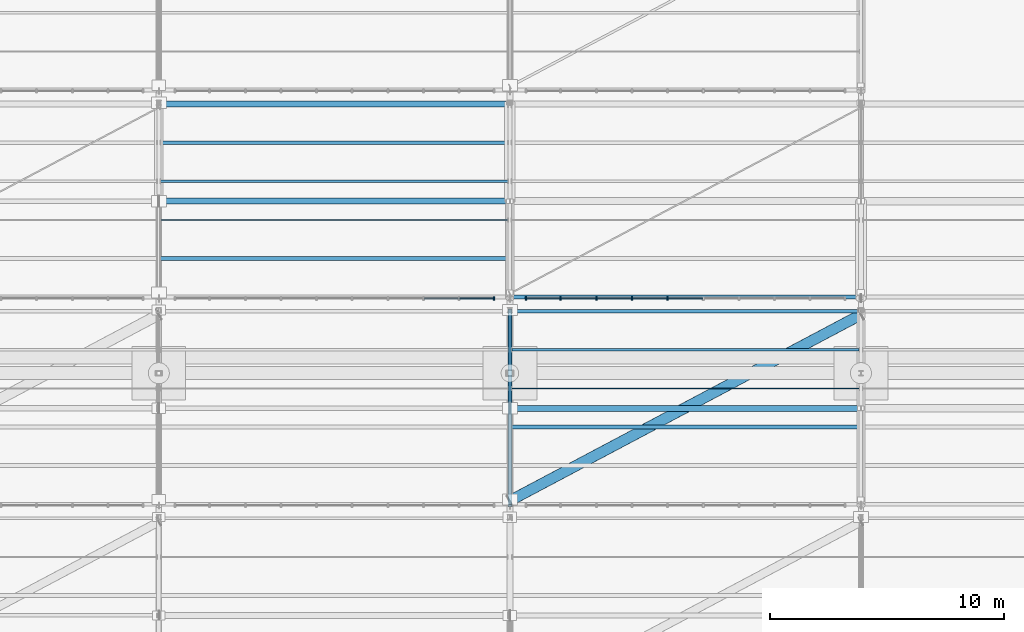
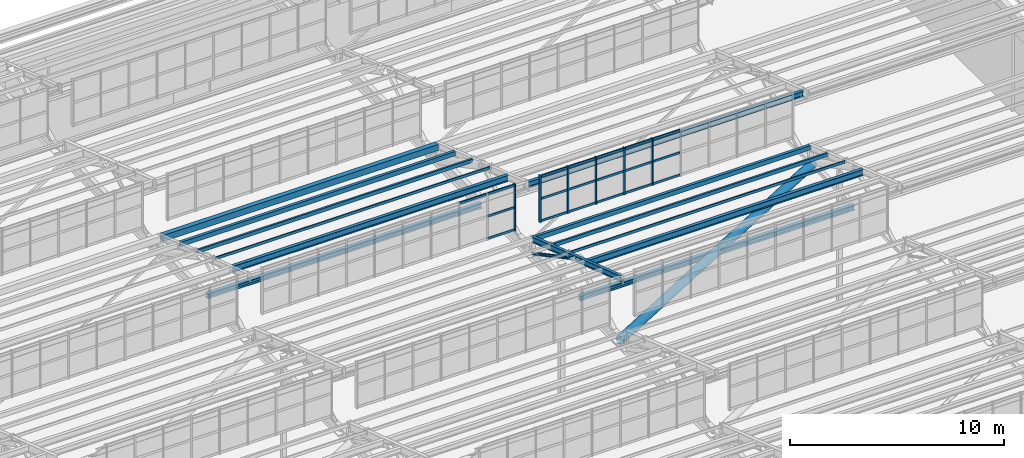
# One storey, part 108 of 285: 29 members, 11 beams, 2 elements without a shape of their own.
"""IFC4 building model written with IfcOpenShell, lengths in metres."""

from ifc_helpers import new_model, si_unit, direction, frame, origin, origin_2d, place, context, subcontext, project, spatial, rectangle, hollow_rectangle, hollow_circle, i_section, extrude, material, material_profile, profile_set, type_object, element, aggregate, save


model = new_model("IFC4")

# Units and contexts
model_context = context("Model", 3, precision=1e-05, world=origin(), true_north=direction((0.0, 1.0)))
body_context = subcontext(model_context, "Body", "Model", "MODEL_VIEW")
ifc_project = project(units=[si_unit("LENGTHUNIT", "METRE"), si_unit("AREAUNIT", "SQUARE_METRE"), si_unit("VOLUMEUNIT", "CUBIC_METRE"), si_unit("PLANEANGLEUNIT", "RADIAN"), si_unit("MASSUNIT", "GRAM", prefix="KILO")], contexts=[model_context])

# Site, building, storey
site_placement = place(None, origin())
site = spatial("IfcSite", under=ifc_project, at=site_placement, CompositionType="ELEMENT")
building_placement = place(site_placement, origin())
building = spatial("IfcBuilding", under=site, at=building_placement, Name="Solanera Park Tramway Depot", CompositionType="ELEMENT")
storey_placement = place(building_placement, origin())
storey = spatial("IfcBuildingStorey", under=building, at=storey_placement, Name="L00", CompositionType="ELEMENT", Elevation=0.0)

# Curtain wall, member
ifc_material_1 = material(Name="Bronze-anodised thermally broken aluminium curtain wall", Category="aluminium")
curtain_wall_type = type_object("IfcCurtainWallType", Name="Sawtooth Clerestory Monitor Curtain Wall", PredefinedType="NOTDEFINED", material=ifc_material_1)
curtain_wall_1_placement = place(storey_placement, origin())
curtain_wall_1 = element("IfcCurtainWall", 1, at=curtain_wall_1_placement, inside=storey, type_object=curtain_wall_type, Name="L00 Sawtooth Clerestory Monitor Curtain Wall #058", PredefinedType="NOTDEFINED")
ifc_material_2 = material(Name="Bronze-anodised structural aluminium 6063-T6", Category="aluminium")
ifc_material_profile_1 = material_profile(ifc_material_2, rectangle(XDim=0.06494140625, YDim=0.14990234375, at=origin_2d()), Name="Curtain Wall Mullion 65x150")
ifc_profile_set_1 = profile_set([ifc_material_profile_1], Name="Bronze-anodised structural aluminium 6063-T6")
member_type_1 = type_object("IfcMemberType", Name="Curtain Wall Mullion 65x150", PredefinedType="MULLION", material=ifc_profile_set_1)
member_1_placement = place(storey_placement, frame((119.3173828125, 117.699951171875, 7.75), z_axis=(0.0, 0.0, 1.0), x_axis=(1.0, 0.0, 0.0)))
member_1 = element("IfcMember", 2, at=member_1_placement, type_object=member_type_1, Name="CW-L00-058 Mullion 10", PredefinedType="MULLION", context=body_context, shape_type="SweptSolid", body=[
    extrude(rectangle(XDim=0.06494140625, YDim=0.14990234375, at=origin_2d()), origin(), (0.0, 0.0, 1.0), 2.6611328125),
])

# Curtain wall, members
curtain_wall_2_placement = place(storey_placement, origin())
curtain_wall_2 = element("IfcCurtainWall", 3, at=curtain_wall_2_placement, inside=storey, type_object=curtain_wall_type, Name="L00 Sawtooth Clerestory Monitor Curtain Wall #059", PredefinedType="NOTDEFINED")
member_2_placement = place(storey_placement, frame((120.6826171875, 117.699951171875, 7.75), z_axis=(0.0, 0.0, 1.0), x_axis=(1.0, 0.0, 0.0)))
member_2 = element("IfcMember", 4, at=member_2_placement, type_object=member_type_1, Name="CW-L00-059 Mullion 1", PredefinedType="MULLION", context=body_context, shape_type="SweptSolid", body=[
    extrude(rectangle(XDim=0.06494140625, YDim=0.14990234375, at=origin_2d()), origin(), (0.0, 0.0, 1.0), 2.6611328125),
])
member_3_placement = place(storey_placement, frame((122.172119140625, 117.699951171875, 7.75), z_axis=(0.0, 0.0, 1.0), x_axis=(1.0, 0.0, 0.0)))
member_3 = element("IfcMember", 5, at=member_3_placement, type_object=member_type_1, Name="CW-L00-059 Mullion 2", PredefinedType="MULLION", context=body_context, shape_type="SweptSolid", body=[
    extrude(rectangle(XDim=0.06494140625, YDim=0.14990234375, at=origin_2d()), origin(), (0.0, 0.0, 1.0), 2.6611328125),
])
member_4_placement = place(storey_placement, frame((123.6943359375, 117.699951171875, 7.75), z_axis=(0.0, 0.0, 1.0), x_axis=(1.0, 0.0, 0.0)))
member_4 = element("IfcMember", 6, at=member_4_placement, type_object=member_type_1, Name="CW-L00-059 Mullion 3", PredefinedType="MULLION", context=body_context, shape_type="SweptSolid", body=[
    extrude(rectangle(XDim=0.06494140625, YDim=0.14990234375, at=origin_2d()), origin(), (0.0, 0.0, 1.0), 2.6611328125),
])
member_5_placement = place(storey_placement, frame((125.216796875, 117.699951171875, 7.75), z_axis=(0.0, 0.0, 1.0), x_axis=(1.0, 0.0, 0.0)))
member_5 = element("IfcMember", 7, at=member_5_placement, type_object=member_type_1, Name="CW-L00-059 Mullion 4", PredefinedType="MULLION", context=body_context, shape_type="SweptSolid", body=[
    extrude(rectangle(XDim=0.06494140625, YDim=0.14990234375, at=origin_2d()), origin(), (0.0, 0.0, 1.0), 2.6611328125),
])
member_6_placement = place(storey_placement, frame((126.739013671875, 117.699951171875, 7.75), z_axis=(0.0, 0.0, 1.0), x_axis=(1.0, 0.0, 0.0)))
member_6 = element("IfcMember", 8, at=member_6_placement, type_object=member_type_1, Name="CW-L00-059 Mullion 5", PredefinedType="MULLION", context=body_context, shape_type="SweptSolid", body=[
    extrude(rectangle(XDim=0.06494140625, YDim=0.14990234375, at=origin_2d()), origin(), (0.0, 0.0, 1.0), 2.6611328125),
])

# Member
ifc_material_3 = material(Name="Bronze-anodised structural aluminium 6063-T6", Category="aluminium")
ifc_material_profile_2 = material_profile(ifc_material_3, rectangle(XDim=0.06494140625, YDim=0.1201171875, at=origin_2d()), Name="Curtain Wall Transom 65x120")
ifc_profile_set_2 = profile_set([ifc_material_profile_2], Name="Bronze-anodised structural aluminium 6063-T6")
member_type_2 = type_object("IfcMemberType", Name="Curtain Wall Transom 65x120", PredefinedType="USERDEFINED", material=ifc_profile_set_2)
member_7_placement = place(storey_placement, frame((117.855712890625, 117.699951171875, 7.81005859375), z_axis=(1.0, 0.0, 0.0), x_axis=(0.0, 1.0, 0.0)))
member_7 = element("IfcMember", 9, at=member_7_placement, type_object=member_type_2, Name="CW-L00-058 Transom R1.C9", ObjectType="TRANSOM", PredefinedType="USERDEFINED", context=body_context, shape_type="SweptSolid", body=[
    extrude(rectangle(XDim=0.06494140625, YDim=0.1201171875, at=origin_2d()), origin(), (0.0, 0.0, 1.0), 1.433837890625),
])

member_8_placement = place(storey_placement, frame((117.855712890625, 117.699951171875, 9.08056640625), z_axis=(1.0, 0.0, 0.0), x_axis=(0.0, 1.0, 0.0)))
member_8 = element("IfcMember", 10, at=member_8_placement, type_object=member_type_2, Name="CW-L00-058 Transom R2.C9", ObjectType="TRANSOM", PredefinedType="USERDEFINED", context=body_context, shape_type="SweptSolid", body=[
    extrude(rectangle(XDim=0.06494140625, YDim=0.1201171875, at=origin_2d()), origin(), (0.0, 0.0, 1.0), 1.433837890625),
])

member_9_placement = place(storey_placement, frame((116.33349609375, 117.699951171875, 10.351318359375), z_axis=(1.0, 0.0, 0.0), x_axis=(0.0, 1.0, 0.0)))
member_9 = element("IfcMember", 11, at=member_9_placement, type_object=member_type_2, Name="CW-L00-058 Transom R3.C8", ObjectType="TRANSOM", PredefinedType="USERDEFINED", context=body_context, shape_type="SweptSolid", body=[
    extrude(rectangle(XDim=0.06494140625, YDim=0.1201171875, at=origin_2d()), origin(), (0.0, 0.0, 1.0), 1.46630859375),
])

member_10_placement = place(storey_placement, frame((117.855712890625, 117.699951171875, 10.351318359375), z_axis=(1.0, 0.0, 0.0), x_axis=(0.0, 1.0, 0.0)))
member_10 = element("IfcMember", 12, at=member_10_placement, type_object=member_type_2, Name="CW-L00-058 Transom R3.C9", ObjectType="TRANSOM", PredefinedType="USERDEFINED", context=body_context, shape_type="SweptSolid", body=[
    extrude(rectangle(XDim=0.06494140625, YDim=0.1201171875, at=origin_2d()), origin(), (0.0, 0.0, 1.0), 1.433837890625),
])

aggregate(curtain_wall_1, [member_1, member_7, member_8, member_9, member_10])

member_11_placement = place(storey_placement, frame((120.71044921875, 117.699951171875, 7.81005859375), z_axis=(1.0, 0.0, 0.0), x_axis=(0.0, 1.0, 0.0)))
member_11 = element("IfcMember", 13, at=member_11_placement, type_object=member_type_2, Name="CW-L00-059 Transom R1.C1", ObjectType="TRANSOM", PredefinedType="USERDEFINED", context=body_context, shape_type="SweptSolid", body=[
    extrude(rectangle(XDim=0.06494140625, YDim=0.1201171875, at=origin_2d()), origin(), (0.0, 0.0, 1.0), 1.433837890625),
])

member_12_placement = place(storey_placement, frame((122.2001953125, 117.699951171875, 7.81005859375), z_axis=(1.0, 0.0, 0.0), x_axis=(0.0, 1.0, 0.0)))
member_12 = element("IfcMember", 14, at=member_12_placement, type_object=member_type_2, Name="CW-L00-059 Transom R1.C2", ObjectType="TRANSOM", PredefinedType="USERDEFINED", context=body_context, shape_type="SweptSolid", body=[
    extrude(rectangle(XDim=0.06494140625, YDim=0.1201171875, at=origin_2d()), origin(), (0.0, 0.0, 1.0), 1.46630859375),
])

member_13_placement = place(storey_placement, frame((123.722412109375, 117.699951171875, 7.81005859375), z_axis=(1.0, 0.0, 0.0), x_axis=(0.0, 1.0, 0.0)))
member_13 = element("IfcMember", 15, at=member_13_placement, type_object=member_type_2, Name="CW-L00-059 Transom R1.C3", ObjectType="TRANSOM", PredefinedType="USERDEFINED", context=body_context, shape_type="SweptSolid", body=[
    extrude(rectangle(XDim=0.06494140625, YDim=0.1201171875, at=origin_2d()), origin(), (0.0, 0.0, 1.0), 1.46630859375),
])

member_14_placement = place(storey_placement, frame((125.24462890625, 117.699951171875, 7.81005859375), z_axis=(1.0, 0.0, 0.0), x_axis=(0.0, 1.0, 0.0)))
member_14 = element("IfcMember", 16, at=member_14_placement, type_object=member_type_2, Name="CW-L00-059 Transom R1.C4", ObjectType="TRANSOM", PredefinedType="USERDEFINED", context=body_context, shape_type="SweptSolid", body=[
    extrude(rectangle(XDim=0.06494140625, YDim=0.1201171875, at=origin_2d()), origin(), (0.0, 0.0, 1.0), 1.46630859375),
])

member_15_placement = place(storey_placement, frame((126.766845703125, 117.699951171875, 7.81005859375), z_axis=(1.0, 0.0, 0.0), x_axis=(0.0, 1.0, 0.0)))
member_15 = element("IfcMember", 17, at=member_15_placement, type_object=member_type_2, Name="CW-L00-059 Transom R1.C5", ObjectType="TRANSOM", PredefinedType="USERDEFINED", context=body_context, shape_type="SweptSolid", body=[
    extrude(rectangle(XDim=0.06494140625, YDim=0.1201171875, at=origin_2d()), origin(), (0.0, 0.0, 1.0), 1.46630859375),
])

member_16_placement = place(storey_placement, frame((120.71044921875, 117.699951171875, 9.08056640625), z_axis=(1.0, 0.0, 0.0), x_axis=(0.0, 1.0, 0.0)))
member_16 = element("IfcMember", 18, at=member_16_placement, type_object=member_type_2, Name="CW-L00-059 Transom R2.C1", ObjectType="TRANSOM", PredefinedType="USERDEFINED", context=body_context, shape_type="SweptSolid", body=[
    extrude(rectangle(XDim=0.06494140625, YDim=0.1201171875, at=origin_2d()), origin(), (0.0, 0.0, 1.0), 1.433837890625),
])

member_17_placement = place(storey_placement, frame((122.2001953125, 117.699951171875, 9.08056640625), z_axis=(1.0, 0.0, 0.0), x_axis=(0.0, 1.0, 0.0)))
member_17 = element("IfcMember", 19, at=member_17_placement, type_object=member_type_2, Name="CW-L00-059 Transom R2.C2", ObjectType="TRANSOM", PredefinedType="USERDEFINED", context=body_context, shape_type="SweptSolid", body=[
    extrude(rectangle(XDim=0.06494140625, YDim=0.1201171875, at=origin_2d()), origin(), (0.0, 0.0, 1.0), 1.46630859375),
])

member_18_placement = place(storey_placement, frame((123.722412109375, 117.699951171875, 9.08056640625), z_axis=(1.0, 0.0, 0.0), x_axis=(0.0, 1.0, 0.0)))
member_18 = element("IfcMember", 20, at=member_18_placement, type_object=member_type_2, Name="CW-L00-059 Transom R2.C3", ObjectType="TRANSOM", PredefinedType="USERDEFINED", context=body_context, shape_type="SweptSolid", body=[
    extrude(rectangle(XDim=0.06494140625, YDim=0.1201171875, at=origin_2d()), origin(), (0.0, 0.0, 1.0), 1.46630859375),
])

member_19_placement = place(storey_placement, frame((125.24462890625, 117.699951171875, 9.08056640625), z_axis=(1.0, 0.0, 0.0), x_axis=(0.0, 1.0, 0.0)))
member_19 = element("IfcMember", 21, at=member_19_placement, type_object=member_type_2, Name="CW-L00-059 Transom R2.C4", ObjectType="TRANSOM", PredefinedType="USERDEFINED", context=body_context, shape_type="SweptSolid", body=[
    extrude(rectangle(XDim=0.06494140625, YDim=0.1201171875, at=origin_2d()), origin(), (0.0, 0.0, 1.0), 1.46630859375),
])

member_20_placement = place(storey_placement, frame((126.766845703125, 117.699951171875, 9.08056640625), z_axis=(1.0, 0.0, 0.0), x_axis=(0.0, 1.0, 0.0)))
member_20 = element("IfcMember", 22, at=member_20_placement, type_object=member_type_2, Name="CW-L00-059 Transom R2.C5", ObjectType="TRANSOM", PredefinedType="USERDEFINED", context=body_context, shape_type="SweptSolid", body=[
    extrude(rectangle(XDim=0.06494140625, YDim=0.1201171875, at=origin_2d()), origin(), (0.0, 0.0, 1.0), 1.46630859375),
])

member_21_placement = place(storey_placement, frame((120.71044921875, 117.699951171875, 10.351318359375), z_axis=(1.0, 0.0, 0.0), x_axis=(0.0, 1.0, 0.0)))
member_21 = element("IfcMember", 23, at=member_21_placement, type_object=member_type_2, Name="CW-L00-059 Transom R3.C1", ObjectType="TRANSOM", PredefinedType="USERDEFINED", context=body_context, shape_type="SweptSolid", body=[
    extrude(rectangle(XDim=0.06494140625, YDim=0.1201171875, at=origin_2d()), origin(), (0.0, 0.0, 1.0), 1.433837890625),
])

member_22_placement = place(storey_placement, frame((122.2001953125, 117.699951171875, 10.351318359375), z_axis=(1.0, 0.0, 0.0), x_axis=(0.0, 1.0, 0.0)))
member_22 = element("IfcMember", 24, at=member_22_placement, type_object=member_type_2, Name="CW-L00-059 Transom R3.C2", ObjectType="TRANSOM", PredefinedType="USERDEFINED", context=body_context, shape_type="SweptSolid", body=[
    extrude(rectangle(XDim=0.06494140625, YDim=0.1201171875, at=origin_2d()), origin(), (0.0, 0.0, 1.0), 1.46630859375),
])

member_23_placement = place(storey_placement, frame((123.722412109375, 117.699951171875, 10.351318359375), z_axis=(1.0, 0.0, 0.0), x_axis=(0.0, 1.0, 0.0)))
member_23 = element("IfcMember", 25, at=member_23_placement, type_object=member_type_2, Name="CW-L00-059 Transom R3.C3", ObjectType="TRANSOM", PredefinedType="USERDEFINED", context=body_context, shape_type="SweptSolid", body=[
    extrude(rectangle(XDim=0.06494140625, YDim=0.1201171875, at=origin_2d()), origin(), (0.0, 0.0, 1.0), 1.46630859375),
])

member_24_placement = place(storey_placement, frame((125.24462890625, 117.699951171875, 10.351318359375), z_axis=(1.0, 0.0, 0.0), x_axis=(0.0, 1.0, 0.0)))
member_24 = element("IfcMember", 26, at=member_24_placement, type_object=member_type_2, Name="CW-L00-059 Transom R3.C4", ObjectType="TRANSOM", PredefinedType="USERDEFINED", context=body_context, shape_type="SweptSolid", body=[
    extrude(rectangle(XDim=0.06494140625, YDim=0.1201171875, at=origin_2d()), origin(), (0.0, 0.0, 1.0), 1.46630859375),
])

member_25_placement = place(storey_placement, frame((126.766845703125, 117.699951171875, 10.351318359375), z_axis=(1.0, 0.0, 0.0), x_axis=(0.0, 1.0, 0.0)))
member_25 = element("IfcMember", 27, at=member_25_placement, type_object=member_type_2, Name="CW-L00-059 Transom R3.C5", ObjectType="TRANSOM", PredefinedType="USERDEFINED", context=body_context, shape_type="SweptSolid", body=[
    extrude(rectangle(XDim=0.06494140625, YDim=0.1201171875, at=origin_2d()), origin(), (0.0, 0.0, 1.0), 1.46630859375),
])

aggregate(curtain_wall_2, [member_2, member_3, member_4, member_5, member_6, member_11, member_12, member_13, member_14, member_15, member_16, member_17, member_18, member_19, member_20, member_21, member_22, member_23, member_24, member_25])

# Members
ifc_material_4 = material(Name="Steel AS/NZS 3679.1 Grade 350", Category="steel")
ifc_material_profile_3 = material_profile(ifc_material_4, i_section(OverallWidth=0.25390625, OverallDepth=0.25390625, WebThickness=0.008544921875, FlangeThickness=0.01416015625, at=origin_2d()), Name="250UC72.9")
ifc_profile_set_3 = profile_set([ifc_material_profile_3], Name="Steel AS/NZS 3679.1 Grade 350")
member_type_3 = type_object("IfcMemberType", Name="Secondary Truss Chord 250UC72.9", PredefinedType="CHORD", material=ifc_profile_set_3)
for number, where, z_axis, x_axis, name in (
    (28, (120.087890625, 113.0, 6.5), (1.0, 0.0, 0.0), (0.0, 1.0, 0.0), "Sawtooth Longitudinal Tie Chord 250UC72.9 #0317"),
    (29, (105.087890625, 121.85009765625, 6.5), (1.0, 0.0, 0.0), (0.0, 1.0, 0.0), "Sawtooth Longitudinal Tie Chord 250UC72.9 #0363"),
):
    element("IfcMember", number, at=place(storey_placement, frame(where, z_axis=z_axis, x_axis=x_axis)), inside=storey, type_object=member_type_3, Name=name, PredefinedType="CHORD", context=body_context, shape_type="SweptSolid", body=[
        extrude(i_section(OverallWidth=0.25390625, OverallDepth=0.25390625, WebThickness=0.008544921875, FlangeThickness=0.01416015625, at=origin_2d()), origin(), (0.0, 0.0, 1.0), 14.82421875),
    ])

# Beams
ifc_material_5 = material(Name="Steel AS/NZS 3679.1 Grade 350", Category="steel")
ifc_material_profile_4 = material_profile(ifc_material_5, i_section(OverallWidth=0.166015625, OverallDepth=0.30712890625, WebThickness=0.006591796875, FlangeThickness=0.01171875, at=origin_2d()), Name="310UB46.2")
ifc_profile_set_4 = profile_set([ifc_material_profile_4], Name="Steel AS/NZS 3679.1 Grade 350")
beam_type_1 = type_object("IfcBeamType", Name="Steel Beam 310UB46.2", PredefinedType="BEAM", material=ifc_profile_set_4)
beam_1_placement = place(storey_placement, frame((120.0, 108.85009765625, 10.131103515625), z_axis=(0.0, 0.948327781215, -0.317292324799), x_axis=(-1.0, 0.0, 0.0)))
element("IfcBeam", 30, at=beam_1_placement, inside=storey, type_object=beam_type_1, Name="Sawtooth ROOF TRUSS Top Rafter 310UB46.2 B07-T9", PredefinedType="BEAM", context=body_context, shape_type="SweptSolid", body=[
    extrude(i_section(OverallWidth=0.166015625, OverallDepth=0.30712890625, WebThickness=0.006591796875, FlangeThickness=0.01171875, at=origin_2d()), origin(), (0.0, 0.0, 1.0), 8.804931640625),
])
ifc_material_6 = material(Name="Steel AS/NZS 1163 Grade C350L0", Category="steel")
ifc_material_profile_5 = material_profile(ifc_material_6, hollow_rectangle(XDim=0.050048828125, YDim=0.14990234375, WallThickness=0.0048828125, at=origin_2d()), Name="150x50x5.0 RHS")
ifc_profile_set_5 = profile_set([ifc_material_profile_5], Name="Steel AS/NZS 1163 Grade C350L0")
beam_type_2 = type_object("IfcBeamType", Name="Steel Joist Purlin 150x50x5.0 RHS", PredefinedType="JOIST", material=ifc_profile_set_5)
for number, where, z_axis, x_axis, name in (
    (31, (120.074951171875, 113.85009765625, 8.550537109375), (1.0, 0.0, 0.0), (0.0, 1.0, 0.0), "Sawtooth Roof Purlin 150x50x5.0 RHS B07.4"),
    (32, (105.074951171875, 121.050048828125, 9.1025390625), (1.0, 0.0, 0.0), (0.0, 1.0, 0.0), "Sawtooth Roof Purlin 150x50x5.0 RHS B08.3"),
):
    element("IfcBeam", number, at=place(storey_placement, frame(where, z_axis=z_axis, x_axis=x_axis)), inside=storey, type_object=beam_type_2, Name=name, PredefinedType="JOIST", context=body_context, shape_type="SweptSolid", body=[
        extrude(hollow_rectangle(XDim=0.050048828125, YDim=0.14990234375, WallThickness=0.0048828125, at=origin_2d()), origin(), (0.0, 0.0, 1.0), 14.84716796875),
    ])
ifc_material_7 = material(Name="Steel AS/NZS 1163 Grade C350L0", Category="steel")
ifc_material_profile_6 = material_profile(ifc_material_7, hollow_rectangle(XDim=0.10009765625, YDim=0.199951171875, WallThickness=0.006103515625, at=origin_2d()), Name="200x100x6.0 RHS")
ifc_profile_set_6 = profile_set([ifc_material_profile_6], Name="Steel AS/NZS 1163 Grade C350L0")
beam_type_3 = type_object("IfcBeamType", Name="Steel Joist Purlin 200x100x6.0 RHS", PredefinedType="JOIST", material=ifc_profile_set_6)
for number, where, z_axis, x_axis, name in (
    (33, (120.074951171875, 115.5, 7.965087890625), (1.0, 0.0, 0.0), (0.0, 1.0, 0.0), "Sawtooth Roof Purlin 200x100x6.0 RHS B07.5"),
    (34, (105.074951171875, 122.699951171875, 8.51708984375), (1.0, 0.0, 0.0), (0.0, 1.0, 0.0), "Sawtooth Roof Purlin 200x100x6.0 RHS B08.4"),
):
    element("IfcBeam", number, at=place(storey_placement, frame(where, z_axis=z_axis, x_axis=x_axis)), inside=storey, type_object=beam_type_3, Name=name, PredefinedType="JOIST", context=body_context, shape_type="SweptSolid", body=[
        extrude(hollow_rectangle(XDim=0.10009765625, YDim=0.199951171875, WallThickness=0.006103515625, at=origin_2d()), origin(), (0.0, 0.0, 1.0), 14.84716796875),
    ])
ifc_material_8 = material(Name="Steel AS/NZS 1163 Grade C350L0", Category="steel")
ifc_material_profile_7 = material_profile(ifc_material_8, hollow_rectangle(XDim=0.14990234375, YDim=0.25, WallThickness=0.008056640625, at=origin_2d()), Name="250x150x8.0 RHS")
ifc_profile_set_7 = profile_set([ifc_material_profile_7], Name="Steel AS/NZS 1163 Grade C350L0")
beam_type_4 = type_object("IfcBeamType", Name="Steel Joist Purlin 250x150x8.0 RHS", PredefinedType="JOIST", material=ifc_profile_set_7)
for number, where, z_axis, x_axis, name in (
    (35, (120.074951171875, 117.14990234375, 7.379638671875), (1.0, 0.0, 0.0), (0.0, 1.0, 0.0), "Sawtooth Roof Purlin 250x150x8.0 RHS B07.6"),
    (36, (105.074951171875, 124.35009765625, 7.931640625), (1.0, 0.0, 0.0), (0.0, 1.0, 0.0), "Sawtooth Roof Purlin 250x150x8.0 RHS B08.5"),
):
    element("IfcBeam", number, at=place(storey_placement, frame(where, z_axis=z_axis, x_axis=x_axis)), inside=storey, type_object=beam_type_4, Name=name, PredefinedType="JOIST", context=body_context, shape_type="SweptSolid", body=[
        extrude(hollow_rectangle(XDim=0.14990234375, YDim=0.25, WallThickness=0.008056640625, at=origin_2d()), origin(), (0.0, 0.0, 1.0), 14.84716796875),
    ])
ifc_material_9 = material(Name="Steel AS/NZS 3679.1 Grade 350", Category="steel")
ifc_material_profile_8 = material_profile(ifc_material_9, i_section(OverallWidth=0.166015625, OverallDepth=0.30712890625, WebThickness=0.006591796875, FlangeThickness=0.01171875, at=origin_2d()), Name="310UB46.2")
ifc_profile_set_8 = profile_set([ifc_material_profile_8], Name="Steel AS/NZS 3679.1 Grade 350")
beam_type_5 = type_object("IfcBeamType", Name="Steel Joist Purlin 310UB46.2", PredefinedType="JOIST", material=ifc_profile_set_8)
beam_2_placement = place(storey_placement, frame((120.077880859375, 117.75, 10.108642578125), z_axis=(1.0, 0.0, 0.0), x_axis=(0.0, 1.0, 0.0)))
element("IfcBeam", 37, at=beam_2_placement, inside=storey, type_object=beam_type_5, Name="Sawtooth Roof Purlin 310UB46.2 B08.1", PredefinedType="JOIST", context=body_context, shape_type="SweptSolid", body=[
    extrude(i_section(OverallWidth=0.166015625, OverallDepth=0.30712890625, WebThickness=0.006591796875, FlangeThickness=0.01171875, at=origin_2d()), origin(), (0.0, 0.0, 1.0), 14.84130859375),
])
ifc_material_10 = material(Name="Steel AS/NZS 1163 Grade C350L0", Category="steel")
ifc_material_profile_9 = material_profile(ifc_material_10, hollow_rectangle(XDim=0.25, YDim=0.35009765625, WallThickness=0.010009765625, at=origin_2d()), Name="350x250x10.0 RHS")
ifc_profile_set_9 = profile_set([ifc_material_profile_9], Name="Steel AS/NZS 1163 Grade C350L0")
beam_type_6 = type_object("IfcBeamType", Name="Steel Joist Purlin 350x250x10.0 RHS", PredefinedType="JOIST", material=ifc_profile_set_9)
beam_3_placement = place(storey_placement, frame((105.074951171875, 126.0, 7.312744140625), z_axis=(1.0, 0.0, 0.0), x_axis=(0.0, 1.0, 0.0)))
element("IfcBeam", 38, at=beam_3_placement, inside=storey, type_object=beam_type_6, Name="Sawtooth Roof Purlin 350x250x10.0 RHS B08.6", PredefinedType="JOIST", context=body_context, shape_type="SweptSolid", body=[
    extrude(hollow_rectangle(XDim=0.25, YDim=0.35009765625, WallThickness=0.010009765625, at=origin_2d()), origin(), (0.0, 0.0, 1.0), 14.84716796875),
])
ifc_material_11 = material(Name="Steel AS/NZS 3679.1 Grade 350", Category="steel")
ifc_material_profile_10 = material_profile(ifc_material_11, i_section(OverallWidth=0.17138671875, OverallDepth=0.355712890625, WebThickness=0.00732421875, FlangeThickness=0.011474609375, at=origin_2d()), Name="360UB50.7")
ifc_profile_set_10 = profile_set([ifc_material_profile_10], Name="Steel AS/NZS 3679.1 Grade 350")
beam_type_7 = type_object("IfcBeamType", Name="Steel Joist Purlin 360UB50.7", PredefinedType="JOIST", material=ifc_profile_set_10)
for number, where, z_axis, x_axis, name in (
    (39, (120.074951171875, 112.199951171875, 8.9794921875), (1.0, 0.0, 0.0), (0.0, 1.0, 0.0), "Sawtooth Roof Purlin 360UB50.7 B07.3"),
    (40, (105.074951171875, 119.39990234375, 9.531494140625), (1.0, 0.0, 0.0), (0.0, 1.0, 0.0), "Sawtooth Roof Purlin 360UB50.7 B08.2"),
):
    element("IfcBeam", number, at=place(storey_placement, frame(where, z_axis=z_axis, x_axis=x_axis)), inside=storey, type_object=beam_type_7, Name=name, PredefinedType="JOIST", context=body_context, shape_type="SweptSolid", body=[
        extrude(i_section(OverallWidth=0.17138671875, OverallDepth=0.355712890625, WebThickness=0.00732421875, FlangeThickness=0.011474609375, at=origin_2d()), origin(), (0.0, 0.0, 1.0), 14.84716796875),
    ])

# Members
ifc_material_12 = material(Name="Steel AS/NZS 1163 Grade C350L0", Category="steel")
ifc_material_profile_11 = material_profile(ifc_material_12, hollow_circle(Radius=0.084228515625, WallThickness=0.00634765625, at=origin_2d()), Name="168.3x6.4 CHS")
ifc_profile_set_11 = profile_set([ifc_material_profile_11], Name="Steel AS/NZS 1163 Grade C350L0")
member_type_4 = type_object("IfcMemberType", Name="Truss and Frame Brace 168.3x6.4 CHS", PredefinedType="BRACE", material=ifc_profile_set_11)
member_26_placement = place(storey_placement, frame((120.0, 117.199951171875, 6.5), z_axis=(0.0, -0.882117205046, 0.471029974165), x_axis=(1.0, 0.0, 0.0)))
element("IfcMember", 41, at=member_26_placement, inside=storey, type_object=member_type_4, Name="Sawtooth ROOF TRUSS Diagonal 168.3x6.4 CHS #0298", PredefinedType="BRACE", context=body_context, shape_type="SweptSolid", body=[
    extrude(hollow_circle(Radius=0.084228515625, WallThickness=0.00634765625, at=origin_2d()), origin(), (0.0, 0.0, 1.0), 4.76123046875),
])
ifc_material_13 = material(Name="Steel AS/NZS 1163 Grade C350L0", Category="steel")
ifc_material_profile_12 = material_profile(ifc_material_13, hollow_circle(Radius=0.228515625, WallThickness=0.0126953125, at=origin_2d()), Name="457.0x12.7 CHS")
ifc_profile_set_12 = profile_set([ifc_material_profile_12], Name="Steel AS/NZS 1163 Grade C350L0")
member_type_5 = type_object("IfcMemberType", Name="Truss and Frame Brace 457.0x12.7 CHS", PredefinedType="BRACE", material=ifc_profile_set_12)
member_27_placement = place(storey_placement, frame((120.001953125, 109.050048828125, 6.5), z_axis=(0.883523615038, 0.468386615598, 0.0), x_axis=(-0.468386615598, 0.883523615038, 0.0)))
element("IfcMember", 42, at=member_27_placement, inside=storey, type_object=member_type_5, Name="Roof Plane Cyclonic Brace 457.0x12.7 CHS #0318", PredefinedType="BRACE", context=body_context, shape_type="SweptSolid", body=[
    extrude(hollow_circle(Radius=0.228515625, WallThickness=0.0126953125, at=origin_2d()), origin(), (0.0, 0.0, 1.0), 16.97314453125),
])

save(model, "model.ifc")
